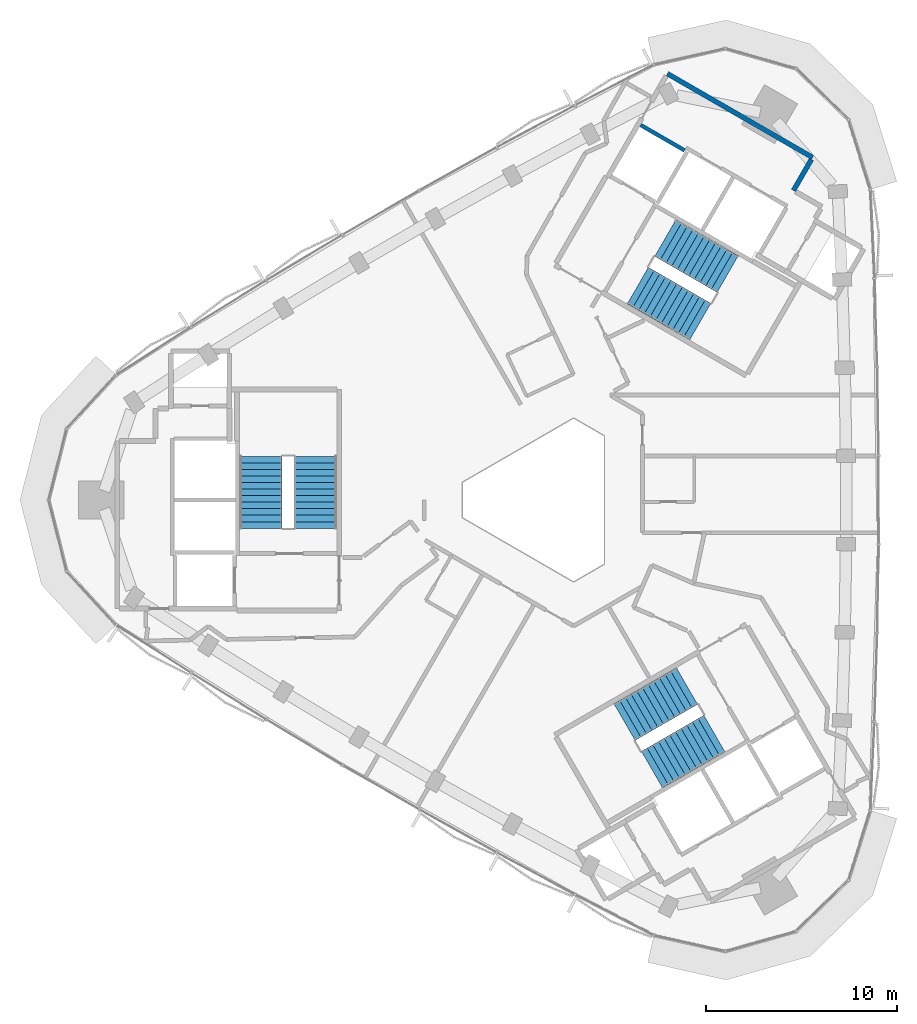
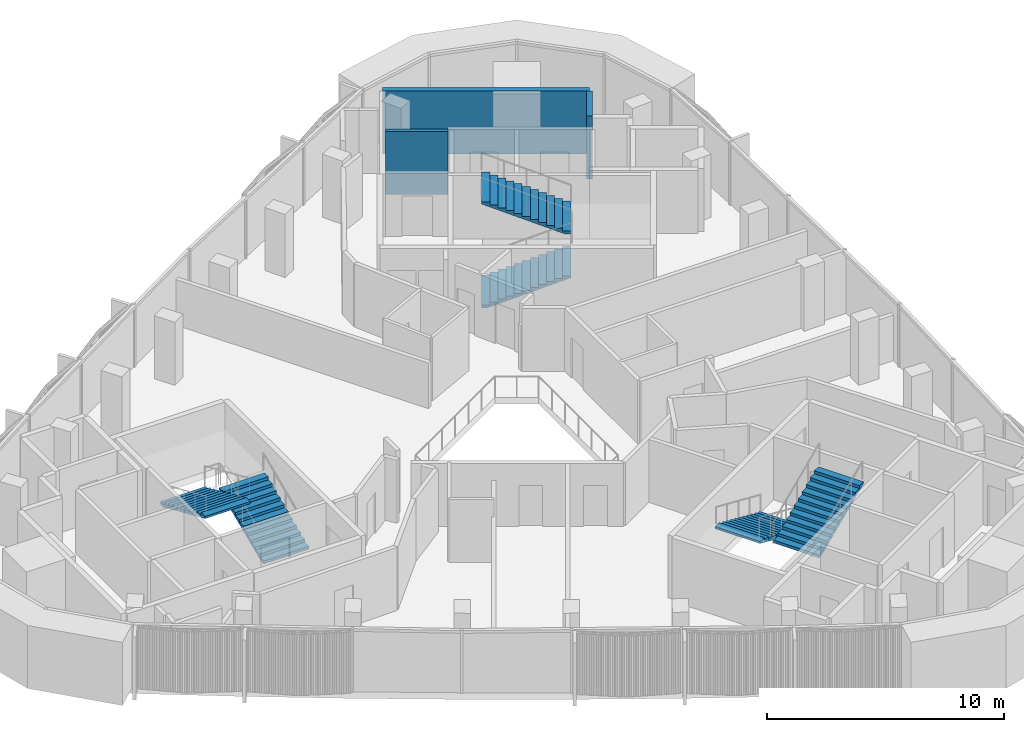
# One storey, part 9 of 12: 6 stair flights, 3 walls, 3 elements without a shape of their own.
"""IFC4 building model written with IfcOpenShell, lengths in metres."""

from ifc_helpers import new_model, si_unit, direction, frame, frame_2d, origin, place, context, subcontext, project, spatial, polyline, rectangle, outline, extrude, material, layer, layer_set, type_object, element, aggregate, save


model = new_model("IFC4")

# Units and contexts
model_context = context("Model", 3, precision=1e-05, world=origin(), true_north=direction((0.0, 1.0)))
body_context = subcontext(model_context, "Body", "Model", "MODEL_VIEW")
ifc_project = project(units=[si_unit("LENGTHUNIT", "METRE"), si_unit("AREAUNIT", "SQUARE_METRE"), si_unit("VOLUMEUNIT", "CUBIC_METRE"), si_unit("PLANEANGLEUNIT", "RADIAN"), si_unit("MASSUNIT", "GRAM", prefix="KILO")], contexts=[model_context])

# Site, building, storey
site_placement = place(None, origin())
site = spatial("IfcSite", under=ifc_project, at=site_placement, CompositionType="ELEMENT")
building_placement = place(site_placement, origin())
building = spatial("IfcBuilding", under=site, at=building_placement, Name="Tamra Quay Hotel Tower", CompositionType="ELEMENT")
storey_placement = place(building_placement, frame((0.0, 0.0, 269.39990234375)))
storey = spatial("IfcBuildingStorey", under=building, at=storey_placement, Name="L68", CompositionType="ELEMENT", Elevation=269.39990234375)

# Walls
ifc_material_1 = material(Name="Concrete M70", Category="concrete")
ifc_layer_1 = layer(ifc_material_1, 0.199951171875)
ifc_layer_set_1 = layer_set([ifc_layer_1], Name="Concrete M70 core wall 200")
wall_type_1 = type_object("IfcWallType", Name="Concrete M70 core wall 200", PredefinedType="SHEAR", material=ifc_layer_set_1)
wall_1_placement = place(storey_placement, frame((7.1962890625, 18.260498046875, 0.0), z_axis=(0.0, 0.0, 1.0), x_axis=(-0.866018407898, 0.500012117035, 0.0)))
element("IfcWall", 1, at=wall_1_placement, inside=storey, type_object=wall_type_1, Name="CW2", PredefinedType="SHEAR", context=body_context, shape_type="SweptSolid", body=[
    extrude(rectangle(XDim=2.65087890625, YDim=0.199951171875, at=frame_2d((1.325439453125, 0.0))), origin(), (0.0, 0.0, 1.0), 3.25),
])
ifc_layer_2 = layer(ifc_material_1, 0.25)
ifc_layer_set_2 = layer_set([ifc_layer_2], Name="Concrete M70 core wall 250")
wall_type_2 = type_object("IfcWallType", Name="Concrete M70 core wall 250", PredefinedType="SHEAR", material=ifc_layer_set_2)
wall_2_placement = place(storey_placement, frame((6.303955078125, 22.268798828125, 0.0), z_axis=(0.0, 0.0, 1.0), x_axis=(0.866022959057, -0.500004234368, 0.0)))
element("IfcWall", 2, at=wall_2_placement, inside=storey, type_object=wall_type_2, Name="CW1", PredefinedType="SHEAR", context=body_context, shape_type="SweptSolid", body=[
    extrude(rectangle(XDim=8.75, YDim=0.25, at=frame_2d((4.375, 0.0))), origin(), (0.0, 0.0, 1.0), 3.25),
])
wall_3_placement = place(storey_placement, frame((13.819091796875, 17.78515625, 0.0), z_axis=(0.0, 0.0, 1.0), x_axis=(-0.500039802285, -0.866002422705, 0.0)))
element("IfcWall", 3, at=wall_3_placement, inside=storey, type_object=wall_type_2, Name="CW1", PredefinedType="SHEAR", context=body_context, shape_type="SweptSolid", body=[
    extrude(rectangle(XDim=1.864501953125, YDim=0.25, at=frame_2d((0.93212890625, 0.0))), origin(), (0.0, 0.0, 1.0), 3.25),
])

# Stair, stair flights
ifc_material_2 = material(Name="Exit stair 2200 24 risers 150.0 going 342")
stair_type = type_object("IfcStairType", Name="Exit stair 2200 24 risers 150.0 going 342", PredefinedType="HALF_TURN_STAIR", material=ifc_material_2)
stair_1_placement = place(storey_placement, origin())
stair_1 = element("IfcStair", 4, at=stair_1_placement, inside=storey, type_object=stair_type, Name="L68 Exit stair ST3", PredefinedType="HALF_TURN_STAIR")
ifc_material_3 = material(Name="Exit stair flight 2200 12 risers 150.0")
stair_flight_type = type_object("IfcStairFlightType", Name="Exit stair flight 2200 12 risers 150.0", PredefinedType="STRAIGHT", material=ifc_material_3)
stair_flight_1_placement = place(storey_placement, frame((-12.082275390625, -1.47998046875, 0.0), z_axis=(0.0, 0.0, 1.0), x_axis=(0.0, 1.0, 0.0)))
stair_flight_1 = element("IfcStairFlight", 5, at=stair_flight_1_placement, type_object=stair_flight_type, Name="ST3 flight 1", NumberOfRisers=12, NumberOfTreads=11, PredefinedType="STRAIGHT", RiserHeight=0.15, TreadLength=0.342, context=body_context, shape_type="SweptSolid", body=[
    extrude(outline(polyline([(0.0, 0.0), (0.0, 0.14990234375), (0.342041015625, 0.14990234375), (0.342041015625, 0.300048828125), (0.68408203125, 0.300048828125), (0.68408203125, 0.449951171875), (1.02587890625, 0.449951171875), (1.02587890625, 0.60009765625), (1.367919921875, 0.60009765625), (1.367919921875, 0.75), (1.7099609375, 0.75), (1.7099609375, 0.89990234375), (2.052001953125, 0.89990234375), (2.052001953125, 1.050048828125), (2.39404296875, 1.050048828125), (2.39404296875, 1.199951171875), (2.736083984375, 1.199951171875), (2.736083984375, 1.35009765625), (3.077880859375, 1.35009765625), (3.077880859375, 1.5), (3.419921875, 1.5), (3.419921875, 1.64990234375), (3.761962890625, 1.64990234375), (3.761962890625, 1.800048828125), (3.761962890625, 1.540771484375), (0.249267578125, 0.0), (0.0, 0.0)])), frame((0.0, 1.10009765625, 0.0), z_axis=(0.0, -1.0, 0.0), x_axis=(1.0, 0.0, 0.0)), (0.0, 0.0, 1.0), 2.199951171875),
])
stair_flight_2_placement = place(storey_placement, frame((-14.94140625, 2.281982421875, 1.800048828125), z_axis=(0.0, 0.0, 1.0), x_axis=(0.0, -1.0, 0.0)))
stair_flight_2 = element("IfcStairFlight", 6, at=stair_flight_2_placement, type_object=stair_flight_type, Name="ST3 flight 2", NumberOfRisers=12, NumberOfTreads=11, PredefinedType="STRAIGHT", RiserHeight=0.15, TreadLength=0.342, context=body_context, shape_type="SweptSolid", body=[
    extrude(outline(polyline([(0.0, 0.0), (0.0, 0.14990234375), (0.342041015625, 0.14990234375), (0.342041015625, 0.300048828125), (0.68408203125, 0.300048828125), (0.68408203125, 0.449951171875), (1.02587890625, 0.449951171875), (1.02587890625, 0.60009765625), (1.367919921875, 0.60009765625), (1.367919921875, 0.75), (1.7099609375, 0.75), (1.7099609375, 0.89990234375), (2.052001953125, 0.89990234375), (2.052001953125, 1.050048828125), (2.39404296875, 1.050048828125), (2.39404296875, 1.199951171875), (2.736083984375, 1.199951171875), (2.736083984375, 1.35009765625), (3.077880859375, 1.35009765625), (3.077880859375, 1.5), (3.419921875, 1.5), (3.419921875, 1.64990234375), (3.761962890625, 1.64990234375), (3.761962890625, 1.800048828125), (3.761962890625, 1.540771484375), (0.249267578125, 0.0), (0.0, 0.0)])), frame((0.0, 1.10009765625, 0.0), z_axis=(0.0, -1.0, 0.0), x_axis=(1.0, 0.0, 0.0)), (0.0, 0.0, 1.0), 2.199951171875),
])
aggregate(stair_1, [stair_flight_1, stair_flight_2])

stair_2_placement = place(storey_placement, origin())
stair_2 = element("IfcStair", 7, at=stair_2_placement, inside=storey, type_object=stair_type, Name="L68 Exit stair ST1", PredefinedType="HALF_TURN_STAIR")
stair_flight_3_placement = place(storey_placement, frame((4.75927734375, 11.20361328125, 0.0), z_axis=(0.0, 0.0, 1.0), x_axis=(0.866025403784, -0.5, 0.0)))
stair_flight_3 = element("IfcStairFlight", 8, at=stair_flight_3_placement, type_object=stair_flight_type, Name="ST1 flight 1", NumberOfRisers=12, NumberOfTreads=11, PredefinedType="STRAIGHT", RiserHeight=0.15, TreadLength=0.342, context=body_context, shape_type="SweptSolid", body=[
    extrude(outline(polyline([(0.0, 0.0), (0.0, 0.14990234375), (0.342041015625, 0.14990234375), (0.342041015625, 0.300048828125), (0.68408203125, 0.300048828125), (0.68408203125, 0.449951171875), (1.02587890625, 0.449951171875), (1.02587890625, 0.60009765625), (1.367919921875, 0.60009765625), (1.367919921875, 0.75), (1.7099609375, 0.75), (1.7099609375, 0.89990234375), (2.052001953125, 0.89990234375), (2.052001953125, 1.050048828125), (2.39404296875, 1.050048828125), (2.39404296875, 1.199951171875), (2.736083984375, 1.199951171875), (2.736083984375, 1.35009765625), (3.077880859375, 1.35009765625), (3.077880859375, 1.5), (3.419921875, 1.5), (3.419921875, 1.64990234375), (3.761962890625, 1.64990234375), (3.761962890625, 1.800048828125), (3.761962890625, 1.540771484375), (0.249267578125, 0.0), (0.0, 0.0)])), frame((0.0, 1.10009765625, 0.0), z_axis=(0.0, -1.0, 0.0), x_axis=(1.0, 0.0, 0.0)), (0.0, 0.0, 1.0), 2.199951171875),
])
stair_flight_4_placement = place(storey_placement, frame((9.44677734375, 11.798583984375, 1.800048828125), z_axis=(0.0, 0.0, 1.0), x_axis=(-0.866025403784, 0.5, 0.0)))
stair_flight_4 = element("IfcStairFlight", 9, at=stair_flight_4_placement, type_object=stair_flight_type, Name="ST1 flight 2", NumberOfRisers=12, NumberOfTreads=11, PredefinedType="STRAIGHT", RiserHeight=0.15, TreadLength=0.342, context=body_context, shape_type="SweptSolid", body=[
    extrude(outline(polyline([(0.0, 0.0), (0.0, 0.14990234375), (0.342041015625, 0.14990234375), (0.342041015625, 0.300048828125), (0.68408203125, 0.300048828125), (0.68408203125, 0.449951171875), (1.02587890625, 0.449951171875), (1.02587890625, 0.60009765625), (1.367919921875, 0.60009765625), (1.367919921875, 0.75), (1.7099609375, 0.75), (1.7099609375, 0.89990234375), (2.052001953125, 0.89990234375), (2.052001953125, 1.050048828125), (2.39404296875, 1.050048828125), (2.39404296875, 1.199951171875), (2.736083984375, 1.199951171875), (2.736083984375, 1.35009765625), (3.077880859375, 1.35009765625), (3.077880859375, 1.5), (3.419921875, 1.5), (3.419921875, 1.64990234375), (3.761962890625, 1.64990234375), (3.761962890625, 1.800048828125), (3.761962890625, 1.540771484375), (0.249267578125, 0.0), (0.0, 0.0)])), frame((0.0, 1.10009765625, 0.0), z_axis=(0.0, -1.0, 0.0), x_axis=(1.0, 0.0, 0.0)), (0.0, 0.0, 1.0), 2.199951171875),
])
aggregate(stair_2, [stair_flight_3, stair_flight_4])

stair_3_placement = place(storey_placement, origin())
stair_3 = element("IfcStair", 10, at=stair_3_placement, inside=storey, type_object=stair_type, Name="L68 Exit stair ST2", PredefinedType="HALF_TURN_STAIR")
stair_flight_5_placement = place(storey_placement, frame((7.322998046875, -9.7236328125, 0.0), z_axis=(0.0, 0.0, 1.0), x_axis=(-0.866025403784, -0.5, 0.0)))
stair_flight_5 = element("IfcStairFlight", 11, at=stair_flight_5_placement, type_object=stair_flight_type, Name="ST2 flight 1", NumberOfRisers=12, NumberOfTreads=11, PredefinedType="STRAIGHT", RiserHeight=0.15, TreadLength=0.342, context=body_context, shape_type="SweptSolid", body=[
    extrude(outline(polyline([(0.0, 0.0), (0.0, 0.14990234375), (0.342041015625, 0.14990234375), (0.342041015625, 0.300048828125), (0.68408203125, 0.300048828125), (0.68408203125, 0.449951171875), (1.02587890625, 0.449951171875), (1.02587890625, 0.60009765625), (1.367919921875, 0.60009765625), (1.367919921875, 0.75), (1.7099609375, 0.75), (1.7099609375, 0.89990234375), (2.052001953125, 0.89990234375), (2.052001953125, 1.050048828125), (2.39404296875, 1.050048828125), (2.39404296875, 1.199951171875), (2.736083984375, 1.199951171875), (2.736083984375, 1.35009765625), (3.077880859375, 1.35009765625), (3.077880859375, 1.5), (3.419921875, 1.5), (3.419921875, 1.64990234375), (3.761962890625, 1.64990234375), (3.761962890625, 1.800048828125), (3.761962890625, 1.540771484375), (0.249267578125, 0.0), (0.0, 0.0)])), frame((0.0, 1.10009765625, 0.0), z_axis=(0.0, -1.0, 0.0), x_axis=(1.0, 0.0, 0.0)), (0.0, 0.0, 1.0), 2.199951171875),
])
stair_flight_6_placement = place(storey_placement, frame((5.494384765625, -14.08056640625, 1.800048828125), z_axis=(0.0, 0.0, 1.0), x_axis=(0.866025403784, 0.5, 0.0)))
stair_flight_6 = element("IfcStairFlight", 12, at=stair_flight_6_placement, type_object=stair_flight_type, Name="ST2 flight 2", NumberOfRisers=12, NumberOfTreads=11, PredefinedType="STRAIGHT", RiserHeight=0.15, TreadLength=0.342, context=body_context, shape_type="SweptSolid", body=[
    extrude(outline(polyline([(0.0, 0.0), (0.0, 0.14990234375), (0.342041015625, 0.14990234375), (0.342041015625, 0.300048828125), (0.68408203125, 0.300048828125), (0.68408203125, 0.449951171875), (1.02587890625, 0.449951171875), (1.02587890625, 0.60009765625), (1.367919921875, 0.60009765625), (1.367919921875, 0.75), (1.7099609375, 0.75), (1.7099609375, 0.89990234375), (2.052001953125, 0.89990234375), (2.052001953125, 1.050048828125), (2.39404296875, 1.050048828125), (2.39404296875, 1.199951171875), (2.736083984375, 1.199951171875), (2.736083984375, 1.35009765625), (3.077880859375, 1.35009765625), (3.077880859375, 1.5), (3.419921875, 1.5), (3.419921875, 1.64990234375), (3.761962890625, 1.64990234375), (3.761962890625, 1.800048828125), (3.761962890625, 1.540771484375), (0.249267578125, 0.0), (0.0, 0.0)])), frame((0.0, 1.10009765625, 0.0), z_axis=(0.0, -1.0, 0.0), x_axis=(1.0, 0.0, 0.0)), (0.0, 0.0, 1.0), 2.199951171875),
])
aggregate(stair_3, [stair_flight_5, stair_flight_6])

save(model, "model.ifc")
